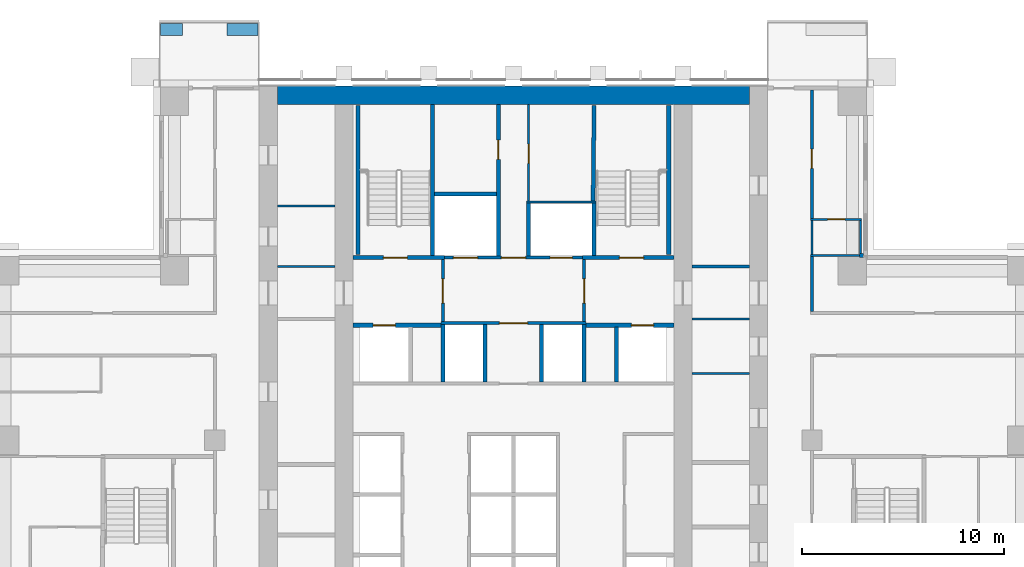
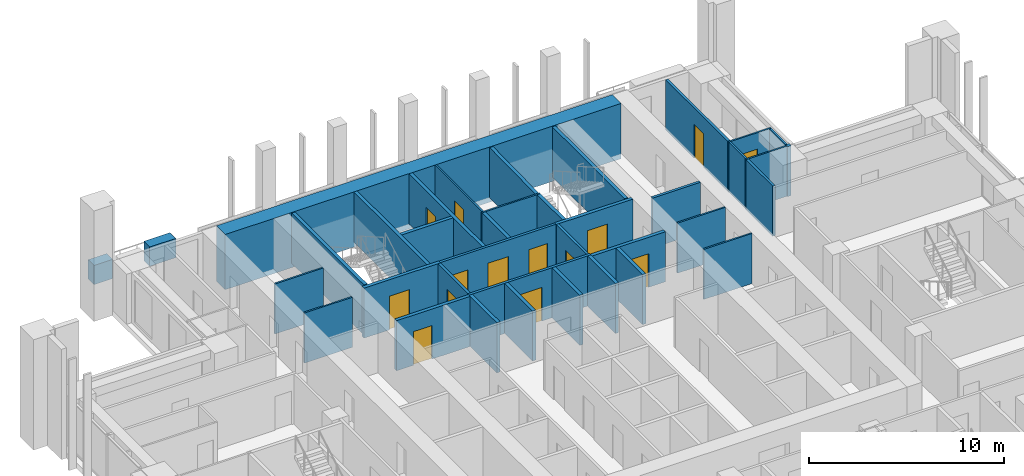
# One storey, part 13 of 19: 38 walls, 14 doors, 14 openings.
"""IFC4 building model written with IfcOpenShell, lengths in metres."""

from ifc_helpers import new_model, si_unit, direction, frame, frame_2d, origin, place, context, subcontext, project, spatial, rectangle, extrude, material, layer, layer_set, type_object, element, fill, save


model = new_model("IFC4")

# Units and contexts
model_context = context("Model", 3, precision=1e-05, world=origin(), true_north=direction((0.0, 1.0)))
body_context = subcontext(model_context, "Body", "Model", "MODEL_VIEW")
ifc_project = project(units=[si_unit("LENGTHUNIT", "METRE"), si_unit("AREAUNIT", "SQUARE_METRE"), si_unit("VOLUMEUNIT", "CUBIC_METRE"), si_unit("PLANEANGLEUNIT", "RADIAN"), si_unit("MASSUNIT", "GRAM", prefix="KILO")], contexts=[model_context])

# Site, building, storey
site_placement = place(None, origin())
site = spatial("IfcSite", under=ifc_project, at=site_placement, CompositionType="ELEMENT")
building_placement = place(site_placement, origin())
building = spatial("IfcBuilding", under=site, at=building_placement, Name="Vermilion Ogive Tower", CompositionType="ELEMENT")
storey_placement = place(building_placement, frame((0.0, 0.0, 48.300048828125)))
storey = spatial("IfcBuildingStorey", under=building, at=storey_placement, Name="L10", CompositionType="ELEMENT", Elevation=48.300048828125)

# Wall
ifc_material_1 = material(Name="Gypsum board partition on steel studs", Category="steel")
ifc_layer_1 = layer(ifc_material_1, 0.10009765625)
ifc_layer_set_1 = layer_set([ifc_layer_1], Name="Partition 100 bath")
wall_type_1 = type_object("IfcWallType", Name="Partition 100 bath", PredefinedType="PARTITIONING", material=ifc_layer_set_1)
wall_1_placement = place(storey_placement, frame((14.72509765625, 13.35009765625, 0.0), z_axis=(0.0, 0.0, 1.0), x_axis=(1.0, 0.0, 0.0)))
element("IfcWall", 1, at=wall_1_placement, inside=storey, type_object=wall_type_1, Name="L10-W-W037", PredefinedType="PARTITIONING", context=body_context, shape_type="SweptSolid", body=[
    extrude(rectangle(XDim=2.52490234375, YDim=0.10009765625, at=frame_2d((1.262451171875, 0.0))), origin(), (0.0, 0.0, 1.0), 3.1298828125),
])

# Wall, opening, door
wall_2_placement = place(storey_placement, frame((14.72509765625, 15.14990234375, 0.0), z_axis=(0.0, 0.0, 1.0), x_axis=(1.0, 0.0, 0.0)))
wall_2 = element("IfcWall", 2, at=wall_2_placement, inside=storey, type_object=wall_type_1, Name="L10-W-W040", PredefinedType="PARTITIONING", context=body_context, shape_type="SweptSolid", body=[
    extrude(rectangle(XDim=2.52490234375, YDim=0.10009765625, at=frame_2d((1.262451171875, 0.0))), origin(), (0.0, 0.0, 1.0), 3.1298828125),
])
opening_1_placement = place(wall_2_placement, frame((0.849853515625, 0.0, 0.0)))
opening_1 = element("IfcOpeningElement", 3, at=opening_1_placement, cuts=wall_2, Name="Opening D1G3022", PredefinedType="OPENING", context=body_context, shape_type="SweptSolid", body=[
    extrude(rectangle(XDim=0.85009765625, YDim=2.10009765625, at=frame_2d((0.425048828125, 1.050048828125))), frame((0.0, 0.06005859375, 0.0), z_axis=(0.0, -1.0, 0.0), x_axis=(1.0, 0.0, 0.0)), (0.0, 0.0, 1.0), 0.1201171875),
])
ifc_material_2 = material(Name="Timber door leaf", Category="wood")
door_type_1 = type_object("IfcDoorType", Name="Bath door 850 x 2100 FD30", OperationType="SINGLE_SWING_LEFT", PredefinedType="DOOR", material=ifc_material_2)
door_1_placement = place(opening_1_placement, origin())
door_1 = element("IfcDoor", 4, at=door_1_placement, inside=storey, type_object=door_type_1, Name="L10-D-D022", OperationType="SINGLE_SWING_RIGHT", OverallHeight=2.10009765625, OverallWidth=0.85009765625, PredefinedType="DOOR", context=body_context, shape_type="SweptSolid", body=[
    extrude(rectangle(XDim=0.85009765625, YDim=2.10009765625, at=frame_2d((0.425048828125, 1.050048828125))), frame((0.0, 0.02490234375, 0.0), z_axis=(0.0, -1.0, 0.0), x_axis=(1.0, 0.0, 0.0)), (0.0, 0.0, 1.0), 0.050048828125),
])
fill(opening_1, door_1)

# Walls
wall_3_placement = place(storey_placement, frame((14.800048828125, 13.39990234375, 0.0), z_axis=(0.0, 0.0, 1.0), x_axis=(0.0, 1.0, 0.0)))
element("IfcWall", 5, at=wall_3_placement, inside=storey, type_object=wall_type_1, Name="L10-W-W074", PredefinedType="PARTITIONING", context=body_context, shape_type="SweptSolid", body=[
    extrude(rectangle(XDim=1.7001953125, YDim=0.10009765625, at=frame_2d((0.85009765625, 0.0))), origin(), (0.0, 0.0, 1.0), 3.1298828125),
])
wall_4_placement = place(storey_placement, frame((17.199951171875, 13.449951171875, 0.0), z_axis=(0.0, 0.0, 1.0), x_axis=(0.0, 1.0, 0.0)))
element("IfcWall", 6, at=wall_4_placement, inside=storey, type_object=wall_type_1, Name="L10-W-W078", PredefinedType="PARTITIONING", context=body_context, shape_type="SweptSolid", body=[
    extrude(rectangle(XDim=1.650146484375, YDim=0.10009765625, at=frame_2d((0.8251953125, 0.0))), origin(), (0.0, 0.0, 1.0), 3.1298828125),
])
wall_5_placement = place(storey_placement, frame((0.64990234375, 16.0, 0.0), z_axis=(0.0, 0.0, 1.0), x_axis=(1.0, 0.0, 0.0)))
element("IfcWall", 7, at=wall_5_placement, inside=storey, type_object=wall_type_1, Name="L10-CK-W-W019", PredefinedType="PARTITIONING", context=body_context, shape_type="SweptSolid", body=[
    extrude(rectangle(XDim=3.4501953125, YDim=0.10009765625, at=frame_2d((1.72509765625, 0.0))), origin(), (0.0, 0.0, 1.0), 3.1298828125),
])

# Wall, opening, door
wall_6_placement = place(storey_placement, frame((0.75, 16.050048828125, 0.0), z_axis=(0.0, 0.0, 1.0), x_axis=(0.0, 1.0, 0.0)))
wall_6 = element("IfcWall", 8, at=wall_6_placement, inside=storey, type_object=wall_type_1, Name="L10-CK-W-W031", PredefinedType="PARTITIONING", context=body_context, shape_type="SweptSolid", body=[
    extrude(rectangle(XDim=4.799072265625, YDim=0.10009765625, at=frame_2d((2.3994140625, 0.0))), origin(), (0.0, 0.0, 1.0), 3.1298828125),
])
opening_2_placement = place(wall_6_placement, frame((1.875, 0.0, 0.0)))
opening_2 = element("IfcOpeningElement", 9, at=opening_2_placement, cuts=wall_6, Name="Opening DAA053", PredefinedType="OPENING", context=body_context, shape_type="SweptSolid", body=[
    extrude(rectangle(XDim=0.949951171875, YDim=2.10009765625, at=frame_2d((0.47509765625, 1.050048828125))), frame((0.0, 0.06005859375, 0.0), z_axis=(0.0, -1.0, 0.0), x_axis=(1.0, 0.0, 0.0)), (0.0, 0.0, 1.0), 0.1201171875),
])
ifc_material_3 = material(Name="Timber door leaf", Category="wood")
door_type_2 = type_object("IfcDoorType", Name="Service door 950 x 2100 FD60", OperationType="SINGLE_SWING_LEFT", PredefinedType="DOOR", material=ifc_material_3)
door_2_placement = place(opening_2_placement, origin())
door_2 = element("IfcDoor", 10, at=door_2_placement, inside=storey, type_object=door_type_2, Name="L10-CK-D-D020", OperationType="SINGLE_SWING_LEFT", OverallHeight=2.10009765625, OverallWidth=0.949951171875, PredefinedType="DOOR", context=body_context, shape_type="SweptSolid", body=[
    extrude(rectangle(XDim=0.949951171875, YDim=2.10009765625, at=frame_2d((0.47509765625, 1.050048828125))), frame((0.0, 0.02490234375, 0.0), z_axis=(0.0, -1.0, 0.0), x_axis=(1.0, 0.0, 0.0)), (0.0, 0.0, 1.0), 0.050048828125),
])
fill(opening_2, door_2)

# Walls
for number, where, z_axis, x_axis, name in (
    (11, (-11.698974609375, 12.800048828125, 0.0), (0.0, 0.0, 1.0), (1.0, 0.0, 0.0), "L10-CKW-W-W004"),
    (12, (-11.698974609375, 15.800048828125, 0.0), (0.0, 0.0, 1.0), (1.0, 0.0, 0.0), "L10-CKW-W-W005"),
    (13, (8.85107421875, 7.5, 0.0), (0.0, 0.0, 1.0), (1.0, 0.0, 0.0), "L10-CKE-W-W004"),
    (14, (8.85107421875, 10.199951171875, 0.0), (0.0, 0.0, 1.0), (1.0, 0.0, 0.0), "L10-CKE-W-W005"),
):
    element("IfcWall", number, at=place(storey_placement, frame(where, z_axis=z_axis, x_axis=x_axis)), inside=storey, type_object=wall_type_1, Name=name, PredefinedType="PARTITIONING", context=body_context, shape_type="SweptSolid", body=[
        extrude(rectangle(XDim=2.847900390625, YDim=0.10009765625, at=frame_2d((1.423828125, 0.0))), origin(), (0.0, 0.0, 1.0), 3.1298828125),
    ])
ifc_material_4 = material(Name="Gypsum board partition on steel studs", Category="steel")
ifc_layer_2 = layer(ifc_material_4, 0.14990234375)
ifc_layer_set_2 = layer_set([ifc_layer_2], Name="Partition 150 corridor")
wall_type_2 = type_object("IfcWallType", Name="Partition 150 corridor", PredefinedType="PARTITIONING", material=ifc_layer_set_2)
wall_7_placement = place(storey_placement, frame((14.800048828125, 10.574951171875, 0.0), z_axis=(0.0, 0.0, 1.0), x_axis=(0.0, 1.0, 0.0)))
element("IfcWall", 15, at=wall_7_placement, inside=storey, type_object=wall_type_2, Name="L10-W-W073", PredefinedType="PARTITIONING", context=body_context, shape_type="SweptSolid", body=[
    extrude(rectangle(XDim=2.72509765625, YDim=0.14990234375, at=frame_2d((1.362548828125, 0.0))), origin(), (0.0, 0.0, 1.0), 3.1298828125),
])

# Wall, opening, door
wall_8_placement = place(storey_placement, frame((14.800048828125, 15.199951171875, 0.0), z_axis=(0.0, 0.0, 1.0), x_axis=(0.0, 1.0, 0.0)))
wall_8 = element("IfcWall", 16, at=wall_8_placement, inside=storey, type_object=wall_type_2, Name="L10-W-W075", PredefinedType="PARTITIONING", context=body_context, shape_type="SweptSolid", body=[
    extrude(rectangle(XDim=6.35009765625, YDim=0.14990234375, at=frame_2d((3.175048828125, 0.0))), origin(), (0.0, 0.0, 1.0), 3.1298828125),
])
opening_3_placement = place(wall_8_placement, frame((2.47509765625, 0.0, 0.0)))
opening_3 = element("IfcOpeningElement", 17, at=opening_3_placement, cuts=wall_8, Name="Opening D1G3021", PredefinedType="OPENING", context=body_context, shape_type="SweptSolid", body=[
    extrude(rectangle(XDim=0.949951171875, YDim=2.10009765625, at=frame_2d((0.47509765625, 1.050048828125))), frame((0.0, 0.0849609375, 0.0), z_axis=(0.0, -1.0, 0.0), x_axis=(1.0, 0.0, 0.0)), (0.0, 0.0, 1.0), 0.169921875),
])
ifc_material_5 = material(Name="Timber door leaf", Category="wood")
door_type_3 = type_object("IfcDoorType", Name="Unit door 950 x 2100 FD30S", OperationType="SINGLE_SWING_LEFT", PredefinedType="DOOR", material=ifc_material_5)
door_3_placement = place(opening_3_placement, origin())
door_3 = element("IfcDoor", 18, at=door_3_placement, inside=storey, type_object=door_type_3, Name="L10-D-D021", OperationType="SINGLE_SWING_LEFT", OverallHeight=2.10009765625, OverallWidth=0.949951171875, PredefinedType="DOOR", context=body_context, shape_type="SweptSolid", body=[
    extrude(rectangle(XDim=0.949951171875, YDim=2.10009765625, at=frame_2d((0.47509765625, 1.050048828125))), frame((0.0, 0.02490234375, 0.0), z_axis=(0.0, -1.0, 0.0), x_axis=(1.0, 0.0, 0.0)), (0.0, 0.0, 1.0), 0.050048828125),
])
fill(opening_3, door_3)

wall_9_placement = place(storey_placement, frame((-3.60009765625, 10.0, 0.0), z_axis=(0.0, 0.0, 1.0), x_axis=(1.0, 0.0, 0.0)))
wall_9 = element("IfcWall", 19, at=wall_9_placement, inside=storey, type_object=wall_type_2, Name="L10-CK-W-W015", PredefinedType="PARTITIONING", context=body_context, shape_type="SweptSolid", body=[
    extrude(rectangle(XDim=7.2001953125, YDim=0.14990234375, at=frame_2d((3.60009765625, 0.0))), origin(), (0.0, 0.0, 1.0), 3.1298828125),
])
opening_4_placement = place(wall_9_placement, frame((2.900146484375, 0.0, 0.0)))
opening_4 = element("IfcOpeningElement", 20, at=opening_4_placement, cuts=wall_9, Name="Opening DAA049", PredefinedType="OPENING", context=body_context, shape_type="SweptSolid", body=[
    extrude(rectangle(XDim=1.39990234375, YDim=2.10009765625, at=frame_2d((0.699951171875, 1.050048828125))), frame((0.0, 0.0849609375, 0.0), z_axis=(0.0, -1.0, 0.0), x_axis=(1.0, 0.0, 0.0)), (0.0, 0.0, 1.0), 0.169921875),
])
ifc_material_6 = material(Name="Timber door leaf", Category="wood")
door_type_4 = type_object("IfcDoorType", Name="Lobby door 1400 x 2100 FD60S", OperationType="SINGLE_SWING_LEFT", PredefinedType="DOOR", material=ifc_material_6)
door_4_placement = place(opening_4_placement, origin())
door_4 = element("IfcDoor", 21, at=door_4_placement, inside=storey, type_object=door_type_4, Name="L10-CK-D-D015", OperationType="SINGLE_SWING_RIGHT", OverallHeight=2.10009765625, OverallWidth=1.39990234375, PredefinedType="DOOR", context=body_context, shape_type="SweptSolid", body=[
    extrude(rectangle(XDim=1.39990234375, YDim=2.10009765625, at=frame_2d((0.699951171875, 1.050048828125))), frame((0.0, 0.02490234375, 0.0), z_axis=(0.0, -1.0, 0.0), x_axis=(1.0, 0.0, 0.0)), (0.0, 0.0, 1.0), 0.050048828125),
])
fill(opening_4, door_4)

# Wall, openings, doors
wall_10_placement = place(storey_placement, frame((-3.574951171875, 13.25, 0.0), z_axis=(0.0, 0.0, 1.0), x_axis=(1.0, 0.0, 0.0)))
wall_10 = element("IfcWall", 22, at=wall_10_placement, inside=storey, type_object=wall_type_2, Name="L10-CK-W-W017", PredefinedType="PARTITIONING", context=body_context, shape_type="SweptSolid", body=[
    extrude(rectangle(XDim=7.14990234375, YDim=0.14990234375, at=frame_2d((3.574951171875, 0.0))), origin(), (0.0, 0.0, 1.0), 3.1298828125),
])
opening_5_placement = place(wall_10_placement, frame((0.599853515625, 0.0, 0.0)))
opening_5 = element("IfcOpeningElement", 23, at=opening_5_placement, cuts=wall_10, Name="Opening DAA067", PredefinedType="OPENING", context=body_context, shape_type="SweptSolid", body=[
    extrude(rectangle(XDim=1.199951171875, YDim=2.10009765625, at=frame_2d((0.60009765625, 1.050048828125))), frame((0.0, 0.0849609375, 0.0), z_axis=(0.0, -1.0, 0.0), x_axis=(1.0, 0.0, 0.0)), (0.0, 0.0, 1.0), 0.169921875),
])
opening_6_placement = place(wall_10_placement, frame((5.39990234375, 0.0, 0.0)))
opening_6 = element("IfcOpeningElement", 24, at=opening_6_placement, cuts=wall_10, Name="Opening DAA058", PredefinedType="OPENING", context=body_context, shape_type="SweptSolid", body=[
    extrude(rectangle(XDim=1.10009765625, YDim=2.10009765625, at=frame_2d((0.550048828125, 1.050048828125))), frame((0.0, 0.0849609375, 0.0), z_axis=(0.0, -1.0, 0.0), x_axis=(1.0, 0.0, 0.0)), (0.0, 0.0, 1.0), 0.169921875),
])
opening_7_placement = place(wall_10_placement, frame((2.974853515625, 0.0, 0.0)))
opening_7 = element("IfcOpeningElement", 25, at=opening_7_placement, cuts=wall_10, Name="Opening DAA050", PredefinedType="OPENING", context=body_context, shape_type="SweptSolid", body=[
    extrude(rectangle(XDim=1.199951171875, YDim=2.10009765625, at=frame_2d((0.60009765625, 1.050048828125))), frame((0.0, 0.0849609375, 0.0), z_axis=(0.0, -1.0, 0.0), x_axis=(1.0, 0.0, 0.0)), (0.0, 0.0, 1.0), 0.169921875),
])
ifc_material_7 = material(Name="Stainless steel", Category="steel")
door_type_5 = type_object("IfcDoorType", Name="Lift landing door 1100 x 2100", OperationType="SLIDING_TO_LEFT", PredefinedType="DOOR", material=ifc_material_7)
door_5_placement = place(opening_6_placement, origin())
door_5 = element("IfcDoor", 26, at=door_5_placement, inside=storey, type_object=door_type_5, Name="L10-CK-D-D017", OperationType="SLIDING_TO_LEFT", OverallHeight=2.10009765625, OverallWidth=1.10009765625, PredefinedType="DOOR", context=body_context, shape_type="SweptSolid", body=[
    extrude(rectangle(XDim=1.10009765625, YDim=2.10009765625, at=frame_2d((0.550048828125, 1.050048828125))), frame((0.0, 0.02490234375, 0.0), z_axis=(0.0, -1.0, 0.0), x_axis=(1.0, 0.0, 0.0)), (0.0, 0.0, 1.0), 0.050048828125),
])
fill(opening_6, door_5)
ifc_material_8 = material(Name="Stainless steel", Category="steel")
door_type_6 = type_object("IfcDoorType", Name="Lift landing door 1200 x 2100", OperationType="SLIDING_TO_LEFT", PredefinedType="DOOR", material=ifc_material_8)
door_6_placement = place(opening_5_placement, origin())
door_6 = element("IfcDoor", 27, at=door_6_placement, inside=storey, type_object=door_type_6, Name="L10-CK-D-D016", OperationType="SLIDING_TO_RIGHT", OverallHeight=2.10009765625, OverallWidth=1.199951171875, PredefinedType="DOOR", context=body_context, shape_type="SweptSolid", body=[
    extrude(rectangle(XDim=1.199951171875, YDim=2.10009765625, at=frame_2d((0.60009765625, 1.050048828125))), frame((0.0, 0.02490234375, 0.0), z_axis=(0.0, -1.0, 0.0), x_axis=(1.0, 0.0, 0.0)), (0.0, 0.0, 1.0), 0.050048828125),
])
fill(opening_5, door_6)
ifc_material_9 = material(Name="Timber door leaf", Category="wood")
door_type_7 = type_object("IfcDoorType", Name="Service door 1200 x 2100 FD60", OperationType="SINGLE_SWING_LEFT", PredefinedType="DOOR", material=ifc_material_9)
door_7_placement = place(opening_7_placement, origin())
door_7 = element("IfcDoor", 28, at=door_7_placement, inside=storey, type_object=door_type_7, Name="L10-CK-D-D018", OperationType="SINGLE_SWING_RIGHT", OverallHeight=2.10009765625, OverallWidth=1.199951171875, PredefinedType="DOOR", context=body_context, shape_type="SweptSolid", body=[
    extrude(rectangle(XDim=1.199951171875, YDim=2.10009765625, at=frame_2d((0.60009765625, 1.050048828125))), frame((0.0, 0.02490234375, 0.0), z_axis=(0.0, -1.0, 0.0), x_axis=(1.0, 0.0, 0.0)), (0.0, 0.0, 1.0), 0.050048828125),
])
fill(opening_7, door_7)

# Wall, opening, door
wall_11_placement = place(storey_placement, frame((-3.5, 10.074951171875, 0.0), z_axis=(0.0, 0.0, 1.0), x_axis=(0.0, 1.0, 0.0)))
wall_11 = element("IfcWall", 29, at=wall_11_placement, inside=storey, type_object=wall_type_2, Name="L10-CK-W-W025", PredefinedType="PARTITIONING", context=body_context, shape_type="SweptSolid", body=[
    extrude(rectangle(XDim=3.074951171875, YDim=0.14990234375, at=frame_2d((1.53759765625, 0.0))), origin(), (0.0, 0.0, 1.0), 3.1298828125),
])
opening_8_placement = place(wall_11_placement, frame((0.925048828125, 0.0, 0.0)))
opening_8 = element("IfcOpeningElement", 30, at=opening_8_placement, cuts=wall_11, Name="Opening DAA046", PredefinedType="OPENING", context=body_context, shape_type="SweptSolid", body=[
    extrude(rectangle(XDim=1.199951171875, YDim=2.10009765625, at=frame_2d((0.60009765625, 1.050048828125))), frame((0.0, 0.0849609375, 0.0), z_axis=(0.0, -1.0, 0.0), x_axis=(1.0, 0.0, 0.0)), (0.0, 0.0, 1.0), 0.169921875),
])
ifc_material_10 = material(Name="Timber door leaf", Category="wood")
door_type_8 = type_object("IfcDoorType", Name="Lobby door 1200 x 2100 FD60S", OperationType="SINGLE_SWING_LEFT", PredefinedType="DOOR", material=ifc_material_10)
door_8_placement = place(opening_8_placement, origin())
door_8 = element("IfcDoor", 31, at=door_8_placement, inside=storey, type_object=door_type_8, Name="L10-CK-D-D021", OperationType="SINGLE_SWING_RIGHT", OverallHeight=2.10009765625, OverallWidth=1.199951171875, PredefinedType="DOOR", context=body_context, shape_type="SweptSolid", body=[
    extrude(rectangle(XDim=1.199951171875, YDim=2.10009765625, at=frame_2d((0.60009765625, 1.050048828125))), frame((0.0, 0.02490234375, 0.0), z_axis=(0.0, -1.0, 0.0), x_axis=(1.0, 0.0, 0.0)), (0.0, 0.0, 1.0), 0.050048828125),
])
fill(opening_8, door_8)

wall_12_placement = place(storey_placement, frame((3.5, 10.074951171875, 0.0), z_axis=(0.0, 0.0, 1.0), x_axis=(0.0, 1.0, 0.0)))
wall_12 = element("IfcWall", 32, at=wall_12_placement, inside=storey, type_object=wall_type_2, Name="L10-CK-W-W035", PredefinedType="PARTITIONING", context=body_context, shape_type="SweptSolid", body=[
    extrude(rectangle(XDim=3.074951171875, YDim=0.14990234375, at=frame_2d((1.53759765625, 0.0))), origin(), (0.0, 0.0, 1.0), 3.1298828125),
])
opening_9_placement = place(wall_12_placement, frame((0.925048828125, 0.0, 0.0)))
opening_9 = element("IfcOpeningElement", 33, at=opening_9_placement, cuts=wall_12, Name="Opening DAA047", PredefinedType="OPENING", context=body_context, shape_type="SweptSolid", body=[
    extrude(rectangle(XDim=1.199951171875, YDim=2.10009765625, at=frame_2d((0.60009765625, 1.050048828125))), frame((0.0, 0.0849609375, 0.0), z_axis=(0.0, -1.0, 0.0), x_axis=(1.0, 0.0, 0.0)), (0.0, 0.0, 1.0), 0.169921875),
])
door_9_placement = place(opening_9_placement, origin())
door_9 = element("IfcDoor", 34, at=door_9_placement, inside=storey, type_object=door_type_8, Name="L10-CK-D-D022", OperationType="SINGLE_SWING_LEFT", OverallHeight=2.10009765625, OverallWidth=1.199951171875, PredefinedType="DOOR", context=body_context, shape_type="SweptSolid", body=[
    extrude(rectangle(XDim=1.199951171875, YDim=2.10009765625, at=frame_2d((0.60009765625, 1.050048828125))), frame((0.0, 0.02490234375, 0.0), z_axis=(0.0, -1.0, 0.0), x_axis=(1.0, 0.0, 0.0)), (0.0, 0.0, 1.0), 0.050048828125),
])
fill(opening_9, door_9)

# Walls
wall_13_placement = place(storey_placement, frame((8.85107421875, 12.800048828125, 0.0), z_axis=(0.0, 0.0, 1.0), x_axis=(1.0, 0.0, 0.0)))
element("IfcWall", 35, at=wall_13_placement, inside=storey, type_object=wall_type_2, Name="L10-CKE-W-W006", PredefinedType="PARTITIONING", context=body_context, shape_type="SweptSolid", body=[
    extrude(rectangle(XDim=2.847900390625, YDim=0.14990234375, at=frame_2d((1.423828125, 0.0))), origin(), (0.0, 0.0, 1.0), 3.1298828125),
])
ifc_material_11 = material(Name="Gypsum board partition on steel studs", Category="steel")
ifc_layer_3 = layer(ifc_material_11, 0.199951171875)
ifc_layer_set_3 = layer_set([ifc_layer_3], Name="Partition 200 party")
wall_type_3 = type_object("IfcWallType", Name="Partition 200 party", PredefinedType="PARTITIONING", material=ifc_layer_set_3)
wall_14_placement = place(storey_placement, frame((17.14990234375, 13.35009765625, 0.0), z_axis=(0.0, 0.0, 1.0), x_axis=(1.0, 0.0, 0.0)))
element("IfcWall", 36, at=wall_14_placement, inside=storey, type_object=wall_type_3, Name="L10-W-W038", PredefinedType="PARTITIONING", context=body_context, shape_type="SweptSolid", body=[
    extrude(rectangle(XDim=0.2001953125, YDim=0.199951171875, at=frame_2d((0.10009765625, 0.0))), origin(), (0.0, 0.0, 1.0), 3.1298828125),
])

# Wall, opening, door
wall_15_placement = place(storey_placement, frame((-7.948974609375, 9.89990234375, 0.0), z_axis=(0.0, 0.0, 1.0), x_axis=(1.0, 0.0, 0.0)))
wall_15 = element("IfcWall", 37, at=wall_15_placement, inside=storey, type_object=wall_type_3, Name="L10-CK-W-W013", PredefinedType="PARTITIONING", context=body_context, shape_type="SweptSolid", body=[
    extrude(rectangle(XDim=4.348876953125, YDim=0.199951171875, at=frame_2d((2.17431640625, 0.0))), origin(), (0.0, 0.0, 1.0), 3.1298828125),
])
opening_10_placement = place(wall_15_placement, frame((0.9990234375, 0.0, 0.0)))
opening_10 = element("IfcOpeningElement", 38, at=opening_10_placement, cuts=wall_15, Name="Opening DAA066", PredefinedType="OPENING", context=body_context, shape_type="SweptSolid", body=[
    extrude(rectangle(XDim=1.10009765625, YDim=2.10009765625, at=frame_2d((0.550048828125, 1.050048828125))), frame((0.0, 0.10986328125, 0.0), z_axis=(0.0, -1.0, 0.0), x_axis=(1.0, 0.0, 0.0)), (0.0, 0.0, 1.0), 0.219970703125),
])
door_10_placement = place(opening_10_placement, origin())
door_10 = element("IfcDoor", 39, at=door_10_placement, inside=storey, type_object=door_type_5, Name="L10-CK-D-D011", OperationType="SLIDING_TO_RIGHT", OverallHeight=2.10009765625, OverallWidth=1.10009765625, PredefinedType="DOOR", context=body_context, shape_type="SweptSolid", body=[
    extrude(rectangle(XDim=1.10009765625, YDim=2.10009765625, at=frame_2d((0.550048828125, 1.050048828125))), frame((0.0, 0.02490234375, 0.0), z_axis=(0.0, -1.0, 0.0), x_axis=(1.0, 0.0, 0.0)), (0.0, 0.0, 1.0), 0.050048828125),
])
fill(opening_10, door_10)

wall_16_placement = place(storey_placement, frame((3.60009765625, 9.89990234375, 0.0), z_axis=(0.0, 0.0, 1.0), x_axis=(1.0, 0.0, 0.0)))
wall_16 = element("IfcWall", 40, at=wall_16_placement, inside=storey, type_object=wall_type_3, Name="L10-CK-W-W014", PredefinedType="PARTITIONING", context=body_context, shape_type="SweptSolid", body=[
    extrude(rectangle(XDim=4.348876953125, YDim=0.199951171875, at=frame_2d((2.17431640625, 0.0))), origin(), (0.0, 0.0, 1.0), 3.1298828125),
])
opening_11_placement = place(wall_16_placement, frame((2.25, 0.0, 0.0)))
opening_11 = element("IfcOpeningElement", 41, at=opening_11_placement, cuts=wall_16, Name="Opening DAA057", PredefinedType="OPENING", context=body_context, shape_type="SweptSolid", body=[
    extrude(rectangle(XDim=1.10009765625, YDim=2.10009765625, at=frame_2d((0.550048828125, 1.050048828125))), frame((0.0, 0.10986328125, 0.0), z_axis=(0.0, -1.0, 0.0), x_axis=(1.0, 0.0, 0.0)), (0.0, 0.0, 1.0), 0.219970703125),
])
door_11_placement = place(opening_11_placement, origin())
door_11 = element("IfcDoor", 42, at=door_11_placement, inside=storey, type_object=door_type_5, Name="L10-CK-D-D013", OperationType="SLIDING_TO_LEFT", OverallHeight=2.10009765625, OverallWidth=1.10009765625, PredefinedType="DOOR", context=body_context, shape_type="SweptSolid", body=[
    extrude(rectangle(XDim=1.10009765625, YDim=2.10009765625, at=frame_2d((0.550048828125, 1.050048828125))), frame((0.0, 0.02490234375, 0.0), z_axis=(0.0, -1.0, 0.0), x_axis=(1.0, 0.0, 0.0)), (0.0, 0.0, 1.0), 0.050048828125),
])
fill(opening_11, door_11)

# Walls
wall_17_placement = place(storey_placement, frame((-3.89990234375, 16.39990234375, 0.0), z_axis=(0.0, 0.0, 1.0), x_axis=(1.0, 0.0, 0.0)))
element("IfcWall", 43, at=wall_17_placement, inside=storey, type_object=wall_type_3, Name="L10-CK-W-W020", PredefinedType="PARTITIONING", context=body_context, shape_type="SweptSolid", body=[
    extrude(rectangle(XDim=3.0498046875, YDim=0.199951171875, at=frame_2d((1.52490234375, 0.0))), origin(), (0.0, 0.0, 1.0), 3.1298828125),
])
for number, where, z_axis, x_axis, name in (
    (44, (-3.5, 7.074951171875, 0.0), (0.0, 0.0, 1.0), (0.0, 1.0, 0.0), "L10-CK-W-W024"),
    (45, (-1.39990234375, 7.074951171875, 0.0), (0.0, 0.0, 1.0), (0.0, 1.0, 0.0), "L10-CK-W-W027"),
):
    element("IfcWall", number, at=place(storey_placement, frame(where, z_axis=z_axis, x_axis=x_axis)), inside=storey, type_object=wall_type_3, Name=name, PredefinedType="PARTITIONING", context=body_context, shape_type="SweptSolid", body=[
        extrude(rectangle(XDim=2.85009765625, YDim=0.199951171875, at=frame_2d((1.425048828125, 0.0))), origin(), (0.0, 0.0, 1.0), 3.1298828125),
    ])

# Wall, opening, door
wall_18_placement = place(storey_placement, frame((-0.75, 13.324951171875, 0.0), z_axis=(0.0, 0.0, 1.0), x_axis=(0.0, 1.0, 0.0)))
wall_18 = element("IfcWall", 46, at=wall_18_placement, inside=storey, type_object=wall_type_3, Name="L10-CK-W-W028", PredefinedType="PARTITIONING", context=body_context, shape_type="SweptSolid", body=[
    extrude(rectangle(XDim=7.524169921875, YDim=0.199951171875, at=frame_2d((3.76220703125, 0.0))), origin(), (0.0, 0.0, 1.0), 3.1298828125),
])
opening_12_placement = place(wall_18_placement, frame((4.800048828125, 0.0, 0.0)))
opening_12 = element("IfcOpeningElement", 47, at=opening_12_placement, cuts=wall_18, Name="Opening DAA052", PredefinedType="OPENING", context=body_context, shape_type="SweptSolid", body=[
    extrude(rectangle(XDim=0.949951171875, YDim=2.10009765625, at=frame_2d((0.47509765625, 1.050048828125))), frame((0.0, 0.10986328125, 0.0), z_axis=(0.0, -1.0, 0.0), x_axis=(1.0, 0.0, 0.0)), (0.0, 0.0, 1.0), 0.219970703125),
])
door_12_placement = place(opening_12_placement, origin())
door_12 = element("IfcDoor", 48, at=door_12_placement, inside=storey, type_object=door_type_2, Name="L10-CK-D-D019", OperationType="SINGLE_SWING_RIGHT", OverallHeight=2.10009765625, OverallWidth=0.949951171875, PredefinedType="DOOR", context=body_context, shape_type="SweptSolid", body=[
    extrude(rectangle(XDim=0.949951171875, YDim=2.10009765625, at=frame_2d((0.47509765625, 1.050048828125))), frame((0.0, 0.02490234375, 0.0), z_axis=(0.0, -1.0, 0.0), x_axis=(1.0, 0.0, 0.0)), (0.0, 0.0, 1.0), 0.050048828125),
])
fill(opening_12, door_12)

# Walls
wall_19_placement = place(storey_placement, frame((0.75, 13.324951171875, 0.0), z_axis=(0.0, 0.0, 1.0), x_axis=(0.0, 1.0, 0.0)))
element("IfcWall", 49, at=wall_19_placement, inside=storey, type_object=wall_type_3, Name="L10-CK-W-W030", PredefinedType="PARTITIONING", context=body_context, shape_type="SweptSolid", body=[
    extrude(rectangle(XDim=2.625, YDim=0.199951171875, at=frame_2d((1.3125, 0.0))), origin(), (0.0, 0.0, 1.0), 3.1298828125),
])
for number, where, z_axis, x_axis, name in (
    (50, (1.39990234375, 7.074951171875, 0.0), (0.0, 0.0, 1.0), (0.0, 1.0, 0.0), "L10-CK-W-W032"),
    (51, (3.5, 7.074951171875, 0.0), (0.0, 0.0, 1.0), (0.0, 1.0, 0.0), "L10-CK-W-W034"),
):
    element("IfcWall", number, at=place(storey_placement, frame(where, z_axis=z_axis, x_axis=x_axis)), inside=storey, type_object=wall_type_3, Name=name, PredefinedType="PARTITIONING", context=body_context, shape_type="SweptSolid", body=[
        extrude(rectangle(XDim=2.85009765625, YDim=0.199951171875, at=frame_2d((1.425048828125, 0.0))), origin(), (0.0, 0.0, 1.0), 3.1298828125),
    ])
wall_20_placement = place(storey_placement, frame((5.10009765625, 7.074951171875, 0.0), z_axis=(0.0, 0.0, 1.0), x_axis=(0.0, 1.0, 0.0)))
element("IfcWall", 52, at=wall_20_placement, inside=storey, type_object=wall_type_3, Name="L10-CK-W-W038", PredefinedType="PARTITIONING", context=body_context, shape_type="SweptSolid", body=[
    extrude(rectangle(XDim=2.72509765625, YDim=0.199951171875, at=frame_2d((1.362548828125, 0.0))), origin(), (0.0, 0.0, 1.0), 3.1298828125),
])
ifc_material_12 = material(Name="Concrete B60", Category="concrete")
ifc_layer_4 = layer(ifc_material_12, 0.199951171875)
ifc_layer_set_4 = layer_set([ifc_layer_4], Name="Stair shaft wall 200 Concrete B60")
wall_type_4 = type_object("IfcWallType", Name="Stair shaft wall 200 Concrete B60", PredefinedType="SOLIDWALL", material=ifc_layer_set_4)
wall_21_placement = place(storey_placement, frame((-11.699951171875, 21.300048828125, -0.320068359375), z_axis=(0.0, 0.0, 1.0), x_axis=(1.0, 0.0, 0.0)))
element("IfcWall", 53, at=wall_21_placement, inside=storey, type_object=wall_type_4, Name="L10-CORE-N", PredefinedType="SOLIDWALL", context=body_context, shape_type="SweptSolid", body=[
    extrude(rectangle(XDim=23.39990234375, YDim=0.89990234375, at=frame_2d((11.699951171875, 0.0))), origin(), (0.0, 0.0, 1.0), 3.449951171875),
])

# Wall, opening, door
wall_22_placement = place(storey_placement, frame((-7.948974609375, 13.25, 0.0), z_axis=(0.0, 0.0, 1.0), x_axis=(1.0, 0.0, 0.0)))
wall_22 = element("IfcWall", 54, at=wall_22_placement, inside=storey, type_object=wall_type_4, Name="L10-CK-W-W016", PredefinedType="SOLIDWALL", context=body_context, shape_type="SweptSolid", body=[
    extrude(rectangle(XDim=4.52392578125, YDim=0.199951171875, at=frame_2d((2.261962890625, 0.0))), origin(), (0.0, 0.0, 1.0), 3.1298828125),
])
opening_13_placement = place(wall_22_placement, frame((1.4990234375, 0.0, 0.0)))
opening_13 = element("IfcOpeningElement", 55, at=opening_13_placement, cuts=wall_22, Name="Opening DAA054", PredefinedType="OPENING", context=body_context, shape_type="SweptSolid", body=[
    extrude(rectangle(XDim=1.199951171875, YDim=2.10009765625, at=frame_2d((0.60009765625, 1.050048828125))), frame((0.0, 0.10986328125, 0.0), z_axis=(0.0, -1.0, 0.0), x_axis=(1.0, 0.0, 0.0)), (0.0, 0.0, 1.0), 0.219970703125),
])
ifc_material_13 = material(Name="Timber door leaf", Category="wood")
door_type_9 = type_object("IfcDoorType", Name="Stair door 1200 x 2100 FD60S", OperationType="SINGLE_SWING_LEFT", PredefinedType="DOOR", material=ifc_material_13)
door_13_placement = place(opening_13_placement, origin())
door_13 = element("IfcDoor", 56, at=door_13_placement, inside=storey, type_object=door_type_9, Name="L10-CK-D-D010", OperationType="SINGLE_SWING_LEFT", OverallHeight=2.10009765625, OverallWidth=1.199951171875, PredefinedType="DOOR", context=body_context, shape_type="SweptSolid", body=[
    extrude(rectangle(XDim=1.199951171875, YDim=2.10009765625, at=frame_2d((0.60009765625, 1.050048828125))), frame((0.0, 0.02490234375, 0.0), z_axis=(0.0, -1.0, 0.0), x_axis=(1.0, 0.0, 0.0)), (0.0, 0.0, 1.0), 0.050048828125),
])
fill(opening_13, door_13)

wall_23_placement = place(storey_placement, frame((3.425048828125, 13.25, 0.0), z_axis=(0.0, 0.0, 1.0), x_axis=(1.0, 0.0, 0.0)))
wall_23 = element("IfcWall", 57, at=wall_23_placement, inside=storey, type_object=wall_type_4, Name="L10-CK-W-W018", PredefinedType="SOLIDWALL", context=body_context, shape_type="SweptSolid", body=[
    extrude(rectangle(XDim=4.52392578125, YDim=0.199951171875, at=frame_2d((2.261962890625, 0.0))), origin(), (0.0, 0.0, 1.0), 3.1298828125),
])
opening_14_placement = place(wall_23_placement, frame((1.824951171875, 0.0, 0.0)))
opening_14 = element("IfcOpeningElement", 58, at=opening_14_placement, cuts=wall_23, Name="Opening DAA055", PredefinedType="OPENING", context=body_context, shape_type="SweptSolid", body=[
    extrude(rectangle(XDim=1.199951171875, YDim=2.10009765625, at=frame_2d((0.60009765625, 1.050048828125))), frame((0.0, 0.10986328125, 0.0), z_axis=(0.0, -1.0, 0.0), x_axis=(1.0, 0.0, 0.0)), (0.0, 0.0, 1.0), 0.219970703125),
])
door_14_placement = place(opening_14_placement, origin())
door_14 = element("IfcDoor", 59, at=door_14_placement, inside=storey, type_object=door_type_9, Name="L10-CK-D-D012", OperationType="SINGLE_SWING_RIGHT", OverallHeight=2.10009765625, OverallWidth=1.199951171875, PredefinedType="DOOR", context=body_context, shape_type="SweptSolid", body=[
    extrude(rectangle(XDim=1.199951171875, YDim=2.10009765625, at=frame_2d((0.60009765625, 1.050048828125))), frame((0.0, 0.02490234375, 0.0), z_axis=(0.0, -1.0, 0.0), x_axis=(1.0, 0.0, 0.0)), (0.0, 0.0, 1.0), 0.050048828125),
])
fill(opening_14, door_14)

# Walls
wall_24_placement = place(storey_placement, frame((-4.0, 13.35009765625, 0.0), z_axis=(0.0, 0.0, 1.0), x_axis=(0.0, 1.0, 0.0)))
element("IfcWall", 60, at=wall_24_placement, inside=storey, type_object=wall_type_4, Name="L10-CK-W-W023", PredefinedType="SOLIDWALL", context=body_context, shape_type="SweptSolid", body=[
    extrude(rectangle(XDim=7.4990234375, YDim=0.199951171875, at=frame_2d((3.74951171875, 0.0))), origin(), (0.0, 0.0, 1.0), 3.1298828125),
])
wall_25_placement = place(storey_placement, frame((4.0, 13.35009765625, 0.0), z_axis=(0.0, 0.0, 1.0), x_axis=(0.0, 1.0, 0.0)))
element("IfcWall", 61, at=wall_25_placement, inside=storey, type_object=wall_type_4, Name="L10-CK-W-W036", PredefinedType="SOLIDWALL", context=body_context, shape_type="SweptSolid", body=[
    extrude(rectangle(XDim=2.599853515625, YDim=0.199951171875, at=frame_2d((1.2998046875, 0.0))), origin(), (0.0, 0.0, 1.0), 3.1298828125),
])
wall_26_placement = place(storey_placement, frame((3.949951171875, 16.050048828125, 0.0), z_axis=(0.0, 0.0, 1.0), x_axis=(0.010538176883, 0.999944471872, 0.0)))
element("IfcWall", 62, at=wall_26_placement, inside=storey, type_object=wall_type_4, Name="L10-CK-W-W037", PredefinedType="SOLIDWALL", context=body_context, shape_type="SweptSolid", body=[
    extrude(rectangle(XDim=4.749267578125, YDim=0.199951171875, at=frame_2d((2.37451171875, 0.0))), origin(), (0.0, 0.0, 1.0), 3.1298828125),
])
for number, where, z_axis, x_axis, name in (
    (63, (-7.699951171875, 13.39990234375, 0.0), (0.0, 0.0, 1.0), (0.0, 1.0, 0.0), "L10-SW-R022-W1"),
    (64, (7.699951171875, 13.39990234375, 0.0), (0.0, 0.0, 1.0), (0.0, 1.0, 0.0), "L10-SW-R026-E1"),
):
    element("IfcWall", number, at=place(storey_placement, frame(where, z_axis=z_axis, x_axis=x_axis)), inside=storey, type_object=wall_type_4, Name=name, PredefinedType="SOLIDWALL", context=body_context, shape_type="SweptSolid", body=[
        extrude(rectangle(XDim=7.400146484375, YDim=0.199951171875, at=frame_2d((3.7001953125, 0.0))), origin(), (0.0, 0.0, 1.0), 3.1298828125),
    ])
ifc_material_14 = material(Name="Concrete B40", Category="concrete")
ifc_layer_5 = layer(ifc_material_14, 0.60009765625)
ifc_layer_set_5 = layer_set([ifc_layer_5], Name="Structural planter")
wall_type_5 = type_object("IfcWallType", Name="Structural planter", PredefinedType="USERDEFINED", material=ifc_layer_set_5)
wall_27_placement = place(storey_placement, frame((-12.659912109375, 24.550048828125, -0.0400390625), z_axis=(0.0, 0.0, 1.0), x_axis=(-1.0, 0.0, 0.0)))
element("IfcWall", 65, at=wall_27_placement, inside=storey, type_object=wall_type_5, Name="Planter N201A1", ObjectType="PLANTER", PredefinedType="USERDEFINED", context=body_context, shape_type="SweptSolid", body=[
    extrude(rectangle(XDim=1.5400390625, YDim=0.60009765625, at=frame_2d((0.77001953125, 0.0))), origin(), (0.0, 0.0, 1.0), 1.199951171875),
])
wall_28_placement = place(storey_placement, frame((-16.39990234375, 24.550048828125, -0.0400390625), z_axis=(0.0, 0.0, 1.0), x_axis=(-1.0, 0.0, 0.0)))
element("IfcWall", 66, at=wall_28_placement, inside=storey, type_object=wall_type_5, Name="Planter N201A2", ObjectType="PLANTER", PredefinedType="USERDEFINED", context=body_context, shape_type="SweptSolid", body=[
    extrude(rectangle(XDim=1.090087890625, YDim=0.60009765625, at=frame_2d((0.544921875, 0.0))), origin(), (0.0, 0.0, 1.0), 1.199951171875),
])

save(model, "model.ifc")
